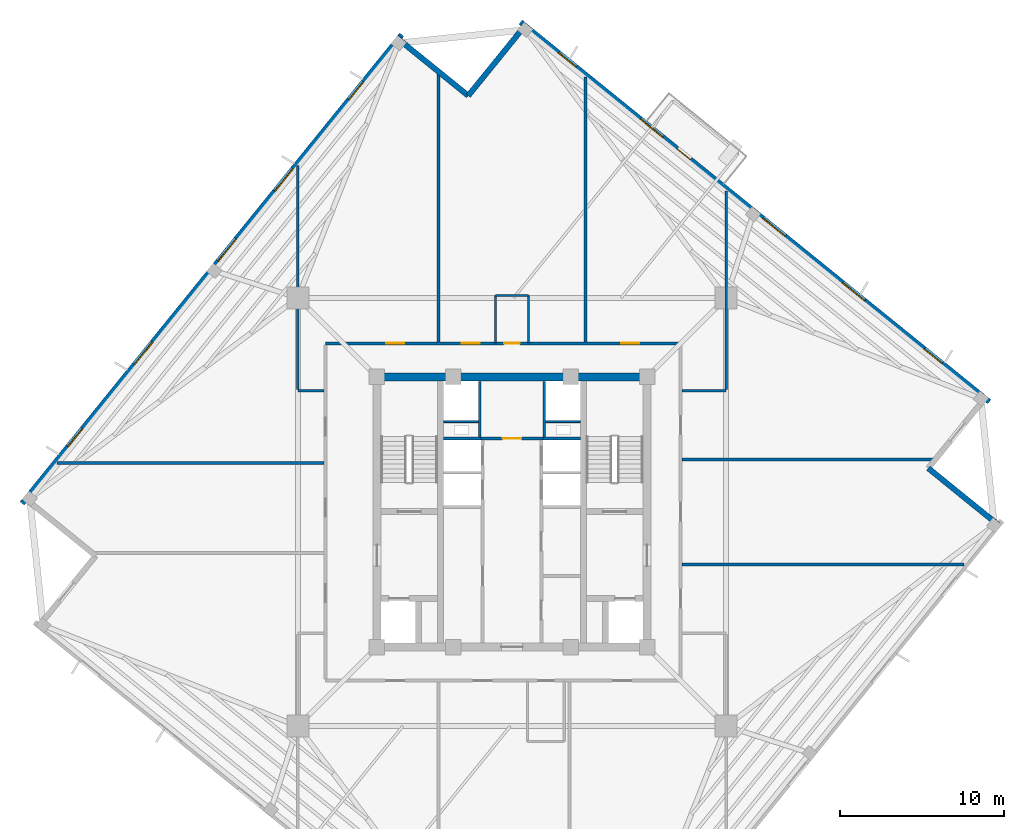
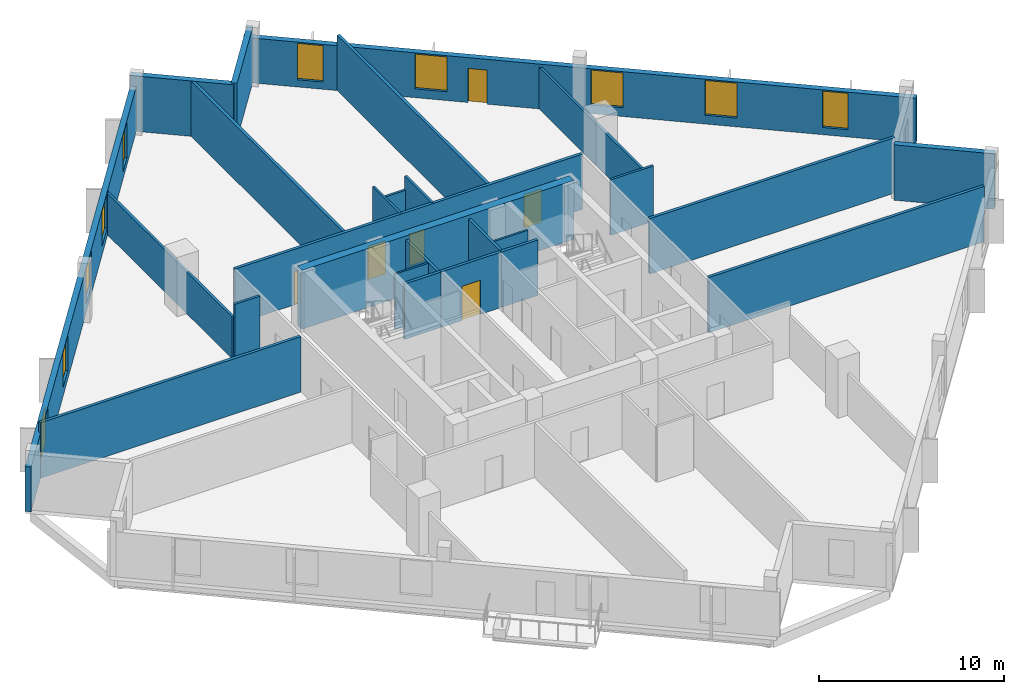
# One storey, part 5 of 10: 26 walls, 10 windows, 6 doors, 16 openings.
"""IFC4 building model written with IfcOpenShell, lengths in metres."""

from ifc_helpers import new_model, si_unit, direction, frame, frame_2d, origin, place, context, subcontext, project, spatial, rectangle, extrude, source, transform, mapped, material, layer, layer_set, type_object, element, fill, save


model = new_model("IFC4")

# Units and contexts
model_context = context("Model", 3, precision=1e-05, world=origin(), true_north=direction((0.0, 1.0)))
body_context = subcontext(model_context, "Body", "Model", "MODEL_VIEW")
ifc_project = project(units=[si_unit("LENGTHUNIT", "METRE"), si_unit("AREAUNIT", "SQUARE_METRE"), si_unit("VOLUMEUNIT", "CUBIC_METRE"), si_unit("PLANEANGLEUNIT", "RADIAN"), si_unit("MASSUNIT", "GRAM", prefix="KILO"), si_unit("THERMODYNAMICTEMPERATUREUNIT", "KELVIN")], contexts=[model_context])

# Site, building, storey
site_placement = place(None, origin())
site = spatial("IfcSite", under=ifc_project, at=site_placement, CompositionType="ELEMENT")
building_placement = place(site_placement, origin())
building = spatial("IfcBuilding", under=site, at=building_placement, Name="Kosmvard Interchange Tower", CompositionType="ELEMENT")
storey_placement = place(building_placement, frame((0.0, 0.0, 240.699951171875)))
storey = spatial("IfcBuildingStorey", under=building, at=storey_placement, Name="L58", CompositionType="ELEMENT", Elevation=240.699951171875)

# Walls
ifc_material_1 = material(Name="Acoustic gypsum partition system")
ifc_layer_1 = layer(ifc_material_1, 0.14990234375, Name="Acoustic gypsum partition system")
ifc_layer_set_1 = layer_set([ifc_layer_1], Name="Acoustic gypsum partition system")
wall_type_1 = type_object("IfcWallType", Name="Acoustic Suite & Meeting Partition 150", PredefinedType="PARTITIONING", material=ifc_layer_set_1)
wall_1_placement = place(storey_placement, frame((-11.4951171875, 7.39990234375, 0.0), z_axis=(0.0, 0.0, 1.0), x_axis=(-1.0, 0.0, 0.0)))
element("IfcWall", 1, at=wall_1_placement, inside=storey, type_object=wall_type_1, Name="L58 Room Partition 09.1", PredefinedType="PARTITIONING", context=body_context, shape_type="SweptSolid", body=[
    extrude(rectangle(XDim=1.5859375, YDim=0.14990234375, at=frame_2d((0.79296875, 0.0))), origin(), (0.0, 0.0, 1.0), 3.66015625),
])
wall_2_placement = place(storey_placement, frame((-13.0810546875, 7.47509765625, 0.0), z_axis=(0.0, 0.0, 1.0), x_axis=(0.0, 1.0, 0.0)))
element("IfcWall", 2, at=wall_2_placement, inside=storey, type_object=wall_type_1, Name="L58 Room Partition 10.1", PredefinedType="PARTITIONING", context=body_context, shape_type="SweptSolid", body=[
    extrude(rectangle(XDim=13.67333984375, YDim=0.14990234375, at=frame_2d((6.836669921875, 0.0))), origin(), (0.0, 0.0, 1.0), 2.760009765625),
])
wall_3_placement = place(storey_placement, frame((10.39501953125, 7.39990234375, 0.0), z_axis=(0.0, 0.0, 1.0), x_axis=(1.0, 0.0, 0.0)))
element("IfcWall", 3, at=wall_3_placement, inside=storey, type_object=wall_type_1, Name="L58 Room Partition 11.1", PredefinedType="PARTITIONING", context=body_context, shape_type="SweptSolid", body=[
    extrude(rectangle(XDim=2.68603515625, YDim=0.14990234375, at=frame_2d((1.343017578125, 0.0))), origin(), (0.0, 0.0, 1.0), 3.66015625),
])
wall_4_placement = place(storey_placement, frame((13.0810546875, 7.47509765625, 0.0), z_axis=(0.0, 0.0, 1.0), x_axis=(0.0, 1.0, 0.0)))
element("IfcWall", 4, at=wall_4_placement, inside=storey, type_object=wall_type_1, Name="L58 Room Partition 12.1", PredefinedType="PARTITIONING", context=body_context, shape_type="SweptSolid", body=[
    extrude(rectangle(XDim=12.138916015625, YDim=0.14990234375, at=frame_2d((6.0693359375, 0.0))), origin(), (0.0, 0.0, 1.0), 2.760009765625),
])
ifc_material_2 = material(Name="Fire-rated gypsum partition system")
ifc_layer_2 = layer(ifc_material_2, 0.159912109375, Name="Fire-rated gypsum partition system")
ifc_layer_set_2 = layer_set([ifc_layer_2], Name="Fire-rated gypsum partition system")
wall_type_2 = type_object("IfcWallType", Name="Core Compartment & Shuttle Lobby Partition 160", PredefinedType="PARTITIONING", material=ifc_layer_set_2)
for number, where, z_axis, x_axis, name in (
    (5, (-1.9599609375, 4.580078125, 0.0), (0.0, 0.0, 1.0), (0.0, 1.0, 0.0), "L58 North Core West Wall"),
    (6, (1.9599609375, 4.580078125, 0.0), (0.0, 0.0, 1.0), (0.0, 1.0, 0.0), "L58 North Core East Wall"),
):
    element("IfcWall", number, at=place(storey_placement, frame(where, z_axis=z_axis, x_axis=x_axis)), inside=storey, type_object=wall_type_2, Name=name, PredefinedType="PARTITIONING", context=body_context, shape_type="SweptSolid", body=[
        extrude(rectangle(XDim=3.39990234375, YDim=0.159912109375, at=frame_2d((1.699951171875, 0.0))), origin(), (0.0, 0.0, 1.0), 3.66015625),
    ])

# Wall, opening, door
ifc_layer_3 = layer(ifc_material_2, 0.179931640625, Name="Fire-rated gypsum partition system")
ifc_layer_set_3 = layer_set([ifc_layer_3], Name="Fire-rated gypsum partition system")
wall_type_3 = type_object("IfcWallType", Name="Corridor & Hotel Compartment Partition 180", PredefinedType="PARTITIONING", material=ifc_layer_set_3)
wall_5_placement = place(storey_placement, frame((-1.8798828125, 4.489990234375, 0.0), z_axis=(0.0, 0.0, 1.0), x_axis=(1.0, 0.0, 0.0)))
wall_5 = element("IfcWall", 7, at=wall_5_placement, inside=storey, type_object=wall_type_3, Name="L58 Lift Lobby North Partition", PredefinedType="PARTITIONING", context=body_context, shape_type="SweptSolid", body=[
    extrude(rectangle(XDim=3.759765625, YDim=0.179931640625, at=frame_2d((1.8798828125, 0.0))), origin(), (0.0, 0.0, 1.0), 3.66015625),
])
opening_1_placement = place(wall_5_placement, frame((1.304931640625, 0.0, 0.0)))
opening_1 = element("IfcOpeningElement", 8, at=opening_1_placement, cuts=wall_5, Name="Opening L58-KD1", PredefinedType="OPENING", context=body_context, shape_type="SweptSolid", body=[
    extrude(rectangle(XDim=1.14990234375, YDim=2.25, at=frame_2d((0.574951171875, 1.125))), frame((0.0, 0.10009765625, 0.0), z_axis=(0.0, -1.0, 0.0), x_axis=(1.0, 0.0, 0.0)), (0.0, 0.0, 1.0), 0.199951171875),
])
ifc_material_3 = material(Name="Painted fire-rated steel leaf", Category="steel")
door_type_1 = type_object("IfcDoorType", Name="Plant & Riser Fire Door 1150x2250 EI60", OperationType="NOTDEFINED", PredefinedType="DOOR", material=ifc_material_3)
shared_shape_1 = source(origin(), body_context, "Body", "SweptSolid", [
    extrude(rectangle(XDim=1.14990234375, YDim=2.25, at=frame_2d((0.574951171875, 1.125))), frame((0.0, 0.02490234375, 0.0), z_axis=(0.0, -1.0, 0.0), x_axis=(1.0, 0.0, 0.0)), (0.0, 0.0, 1.0), 0.050048828125),
])
door_1_placement = place(opening_1_placement, origin())
door_1 = element("IfcDoor", 9, at=door_1_placement, inside=storey, type_object=door_type_1, Name="L58 Core IT Room Door", OperationType="SINGLE_SWING_LEFT", OverallHeight=2.25, OverallWidth=1.14990234375, PredefinedType="DOOR", context=body_context, shape_type="MappedRepresentation", body=[
    mapped(shared_shape_1, transform((0.0, 0.0, 0.0), scale=1.0)),
])
fill(opening_1, door_1)

# Wall, openings, doors
wall_6_placement = place(storey_placement, frame((-11.39990234375, 10.300048828125, 0.0), z_axis=(0.0, 0.0, 1.0), x_axis=(1.0, 0.0, 0.0)))
wall_6 = element("IfcWall", 10, at=wall_6_placement, inside=storey, type_object=wall_type_3, Name="L58 Corridor Wall CN", PredefinedType="PARTITIONING", context=body_context, shape_type="SweptSolid", body=[
    extrude(rectangle(XDim=21.699951171875, YDim=0.179931640625, at=frame_2d((10.85009765625, 0.0))), origin(), (0.0, 0.0, 1.0), 3.66015625),
])
opening_2_placement = place(wall_6_placement, frame((10.925048828125, 0.0, 0.0)))
opening_2 = element("IfcOpeningElement", 11, at=opening_2_placement, cuts=wall_6, Name="Opening L58-D01", PredefinedType="OPENING", context=body_context, shape_type="SweptSolid", body=[
    extrude(rectangle(XDim=0.949951171875, YDim=2.10009765625, at=frame_2d((0.47509765625, 1.050048828125))), frame((0.0, 0.10009765625, 0.0), z_axis=(0.0, -1.0, 0.0), x_axis=(1.0, 0.0, 0.0)), (0.0, 0.0, 1.0), 0.199951171875),
])
opening_3_placement = place(wall_6_placement, frame((3.724365234375, 0.0, 0.0)))
opening_3 = element("IfcOpeningElement", 12, at=opening_3_placement, cuts=wall_6, Name="Opening L58-D04", PredefinedType="OPENING", context=body_context, shape_type="SweptSolid", body=[
    extrude(rectangle(XDim=1.10009765625, YDim=2.199951171875, at=frame_2d((0.550048828125, 1.10009765625))), frame((0.0, 0.10009765625, 0.0), z_axis=(0.0, -1.0, 0.0), x_axis=(1.0, 0.0, 0.0)), (0.0, 0.0, 1.0), 0.199951171875),
])
opening_4_placement = place(wall_6_placement, frame((8.325927734375, 0.0, 0.0)))
opening_4 = element("IfcOpeningElement", 13, at=opening_4_placement, cuts=wall_6, Name="Opening L58-D05", PredefinedType="OPENING", context=body_context, shape_type="SweptSolid", body=[
    extrude(rectangle(XDim=1.10009765625, YDim=2.199951171875, at=frame_2d((0.550048828125, 1.10009765625))), frame((0.0, 0.10009765625, 0.0), z_axis=(0.0, -1.0, 0.0), x_axis=(1.0, 0.0, 0.0)), (0.0, 0.0, 1.0), 0.199951171875),
])
opening_5_placement = place(wall_6_placement, frame((18.08544921875, 0.0, 0.0)))
opening_5 = element("IfcOpeningElement", 14, at=opening_5_placement, cuts=wall_6, Name="Opening L58-D06", PredefinedType="OPENING", context=body_context, shape_type="SweptSolid", body=[
    extrude(rectangle(XDim=1.10009765625, YDim=2.199951171875, at=frame_2d((0.550048828125, 1.10009765625))), frame((0.0, 0.10009765625, 0.0), z_axis=(0.0, -1.0, 0.0), x_axis=(1.0, 0.0, 0.0)), (0.0, 0.0, 1.0), 0.199951171875),
])
ifc_material_4 = material(Name="Laminated moisture-resistant timber", Category="wood")
door_type_2 = type_object("IfcDoorType", Name="Accessible Washroom Door 950x2100", OperationType="NOTDEFINED", PredefinedType="DOOR", material=ifc_material_4)
shared_shape_2 = source(origin(), body_context, "Body", "SweptSolid", [
    extrude(rectangle(XDim=0.949951171875, YDim=2.10009765625, at=frame_2d((0.47509765625, 1.050048828125))), frame((0.0, 0.02490234375, 0.0), z_axis=(0.0, -1.0, 0.0), x_axis=(1.0, 0.0, 0.0)), (0.0, 0.0, 1.0), 0.050048828125),
])
door_2_placement = place(opening_2_placement, origin())
door_2 = element("IfcDoor", 15, at=door_2_placement, inside=storey, type_object=door_type_2, Name="L58 Accessible Toilet Door", OperationType="SINGLE_SWING_LEFT", OverallHeight=2.10009765625, OverallWidth=0.949951171875, PredefinedType="DOOR", context=body_context, shape_type="MappedRepresentation", body=[
    mapped(shared_shape_2, transform((0.0, 0.0, 0.0), scale=1.0)),
])
fill(opening_2, door_2)
ifc_material_5 = material(Name="Engineered oak fire-rated timber", Category="wood")
door_type_3 = type_object("IfcDoorType", Name="Office Suite Entrance Door 1100x2200 FD30S", OperationType="NOTDEFINED", PredefinedType="DOOR", material=ifc_material_5)
shared_shape_3 = source(origin(), body_context, "Body", "SweptSolid", [
    extrude(rectangle(XDim=1.10009765625, YDim=2.199951171875, at=frame_2d((0.550048828125, 1.10009765625))), frame((0.0, 0.02490234375, 0.0), z_axis=(0.0, -1.0, 0.0), x_axis=(1.0, 0.0, 0.0)), (0.0, 0.0, 1.0), 0.050048828125),
])
door_3_placement = place(opening_3_placement, origin())
door_3 = element("IfcDoor", 16, at=door_3_placement, inside=storey, type_object=door_type_3, Name="L58 North Horizon Boardroom Door", OperationType="SINGLE_SWING_RIGHT", OverallHeight=2.199951171875, OverallWidth=1.10009765625, PredefinedType="DOOR", context=body_context, shape_type="MappedRepresentation", body=[
    mapped(shared_shape_3, transform((0.0, 0.0, 0.0), scale=1.0)),
])
fill(opening_3, door_3)
door_4_placement = place(opening_4_placement, origin())
door_4 = element("IfcDoor", 17, at=door_4_placement, inside=storey, type_object=door_type_3, Name="L58 North-East Corner Office Door", OperationType="SINGLE_SWING_LEFT", OverallHeight=2.199951171875, OverallWidth=1.10009765625, PredefinedType="DOOR", context=body_context, shape_type="MappedRepresentation", body=[
    mapped(shared_shape_3, transform((0.0, 0.0, 0.0), scale=1.0)),
])
fill(opening_4, door_4)
door_5_placement = place(opening_5_placement, origin())
door_5 = element("IfcDoor", 18, at=door_5_placement, inside=storey, type_object=door_type_3, Name="L58 East Executive Office 3 Door", OperationType="SINGLE_SWING_RIGHT", OverallHeight=2.199951171875, OverallWidth=1.10009765625, PredefinedType="DOOR", context=body_context, shape_type="MappedRepresentation", body=[
    mapped(shared_shape_3, transform((0.0, 0.0, 0.0), scale=1.0)),
])
fill(opening_5, door_5)

# Walls
wall_7_placement = place(storey_placement, frame((-4.5, 10.39501953125, 0.0), z_axis=(0.0, 0.0, 1.0), x_axis=(0.0, 1.0, 0.0)))
element("IfcWall", 19, at=wall_7_placement, inside=storey, type_object=wall_type_3, Name="L58 Room Partition 01.1", PredefinedType="PARTITIONING", context=body_context, shape_type="SweptSolid", body=[
    extrude(rectangle(XDim=16.37841796875, YDim=0.179931640625, at=frame_2d((8.189208984375, 0.0))), origin(), (0.0, 0.0, 1.0), 3.66015625),
])
wall_8_placement = place(storey_placement, frame((4.5, 10.39501953125, 0.0), z_axis=(0.0, 0.0, 1.0), x_axis=(0.0, 1.0, 0.0)))
element("IfcWall", 20, at=wall_8_placement, inside=storey, type_object=wall_type_3, Name="L58 Room Partition 02.1", PredefinedType="PARTITIONING", context=body_context, shape_type="SweptSolid", body=[
    extrude(rectangle(XDim=16.167724609375, YDim=0.179931640625, at=frame_2d((8.083984375, 0.0))), origin(), (0.0, 0.0, 1.0), 3.66015625),
])
wall_9_placement = place(storey_placement, frame((10.39501953125, 3.199951171875, 0.0), z_axis=(0.0, 0.0, 1.0), x_axis=(1.0, 0.0, 0.0)))
element("IfcWall", 21, at=wall_9_placement, inside=storey, type_object=wall_type_3, Name="L58 Room Partition 03.1", PredefinedType="PARTITIONING", context=body_context, shape_type="SweptSolid", body=[
    extrude(rectangle(XDim=15.32568359375, YDim=0.179931640625, at=frame_2d((7.662841796875, 0.0))), origin(), (0.0, 0.0, 1.0), 3.66015625),
])
wall_10_placement = place(storey_placement, frame((10.39501953125, -3.199951171875, 0.0), z_axis=(0.0, 0.0, 1.0), x_axis=(1.0, 0.0, 0.0)))
element("IfcWall", 22, at=wall_10_placement, inside=storey, type_object=wall_type_3, Name="L58 Room Partition 04.1", PredefinedType="PARTITIONING", context=body_context, shape_type="SweptSolid", body=[
    extrude(rectangle(XDim=17.220458984375, YDim=0.179931640625, at=frame_2d((8.6103515625, 0.0))), origin(), (0.0, 0.0, 1.0), 3.66015625),
])
wall_11_placement = place(storey_placement, frame((-11.4951171875, 3.0, 0.0), z_axis=(0.0, 0.0, 1.0), x_axis=(-1.0, 0.0, 0.0)))
element("IfcWall", 23, at=wall_11_placement, inside=storey, type_object=wall_type_3, Name="L58 Room Partition 08.1", PredefinedType="PARTITIONING", context=body_context, shape_type="SweptSolid", body=[
    extrude(rectangle(XDim=16.2822265625, YDim=0.179931640625, at=frame_2d((8.14111328125, 0.0))), origin(), (0.0, 0.0, 1.0), 3.66015625),
])
ifc_material_6 = material(Name="Precast concrete C45/55", Category="concrete")
ifc_layer_4 = layer(ifc_material_6, 0.340087890625, Name="Precast concrete C45/55")
ifc_layer_set_4 = layer_set([ifc_layer_4], Name="Precast concrete C45/55")
wall_type_4 = type_object("IfcWallType", Name="Mid Tower Precast Pier Wall 340 C45/55", PredefinedType="STANDARD", material=ifc_layer_set_4)
wall_12_placement = place(storey_placement, frame((29.703125, -0.78857421875, 0.0), z_axis=(0.0, 0.0, 1.0), x_axis=(-0.77714355312, 0.629323365087, 0.0)))
element("IfcWall", 24, at=wall_12_placement, inside=storey, type_object=wall_type_4, Name="L58 Precast Facade Wall N-SE1", PredefinedType="STANDARD", context=body_context, shape_type="SweptSolid", body=[
    extrude(rectangle(XDim=5.499755859375, YDim=0.340087890625, at=frame_2d((2.75, 0.0))), origin(), (0.0, 0.0, 1.0), 3.66015625),
])

# Wall, openings, door, windows
wall_13_placement = place(storey_placement, frame((29.154296875, 6.73291015625, 0.0), z_axis=(0.0, 0.0, 1.0), x_axis=(-0.77714192302, 0.629325378072, 0.0)))
wall_13 = element("IfcWall", 25, at=wall_13_placement, inside=storey, type_object=wall_type_4, Name="L58 Precast Facade Wall F-E", PredefinedType="STANDARD", context=body_context, shape_type="SweptSolid", body=[
    extrude(rectangle(XDim=36.840087890625, YDim=0.340087890625, at=frame_2d((18.419921875, 0.0))), origin(), (0.0, 0.0, 1.0), 2.9599609375),
])
opening_6_placement = place(wall_13_placement, frame((23.4951171875, 0.0, 0.0)))
opening_6 = element("IfcOpeningElement", 26, at=opening_6_placement, cuts=wall_13, Name="Opening L58-BDE", PredefinedType="OPENING", context=body_context, shape_type="SweptSolid", body=[
    extrude(rectangle(XDim=1.050048828125, YDim=2.25, at=frame_2d((0.52490234375, 1.125))), frame((0.0, 0.18017578125, 0.0), z_axis=(0.0, -1.0, 0.0), x_axis=(1.0, 0.0, 0.0)), (0.0, 0.0, 1.0), 0.360107421875),
])
opening_7_placement = place(wall_13_placement, frame((3.720703125, 0.0, 0.47998046875)))
opening_7 = element("IfcOpeningElement", 27, at=opening_7_placement, cuts=wall_13, Name="Opening L58-W06", PredefinedType="OPENING", context=body_context, shape_type="SweptSolid", body=[
    extrude(rectangle(XDim=1.39990234375, YDim=2.39990234375, at=frame_2d((0.699951171875, 1.199951171875))), frame((0.0, 0.18017578125, 0.0), z_axis=(0.0, -1.0, 0.0), x_axis=(1.0, 0.0, 0.0)), (0.0, 0.0, 1.0), 0.360107421875),
])
opening_8_placement = place(wall_13_placement, frame((9.80859375, 0.0, 0.580078125)))
opening_8 = element("IfcOpeningElement", 28, at=opening_8_placement, cuts=wall_13, Name="Opening L58-W07", PredefinedType="OPENING", context=body_context, shape_type="SweptSolid", body=[
    extrude(rectangle(XDim=1.75, YDim=2.300048828125, at=frame_2d((0.875, 1.14990234375))), frame((0.0, 0.18017578125, 0.0), z_axis=(0.0, -1.0, 0.0), x_axis=(1.0, 0.0, 0.0)), (0.0, 0.0, 1.0), 0.360107421875),
])
opening_9_placement = place(wall_13_placement, frame((16.05810546875, 0.0, 0.580078125)))
opening_9 = element("IfcOpeningElement", 29, at=opening_9_placement, cuts=wall_13, Name="Opening L58-W08", PredefinedType="OPENING", context=body_context, shape_type="SweptSolid", body=[
    extrude(rectangle(XDim=1.75, YDim=2.300048828125, at=frame_2d((0.875, 1.14990234375))), frame((0.0, 0.18017578125, 0.0), z_axis=(0.0, -1.0, 0.0), x_axis=(1.0, 0.0, 0.0)), (0.0, 0.0, 1.0), 0.360107421875),
])
opening_10_placement = place(wall_13_placement, frame((25.67626953125, 0.0, 0.580078125)))
opening_10 = element("IfcOpeningElement", 30, at=opening_10_placement, cuts=wall_13, Name="Opening L58-W09", PredefinedType="OPENING", context=body_context, shape_type="SweptSolid", body=[
    extrude(rectangle(XDim=1.75, YDim=2.300048828125, at=frame_2d((0.875, 1.14990234375))), frame((0.0, 0.18017578125, 0.0), z_axis=(0.0, -1.0, 0.0), x_axis=(1.0, 0.0, 0.0)), (0.0, 0.0, 1.0), 0.360107421875),
])
opening_11_placement = place(wall_13_placement, frame((32.482421875, 0.0, 0.47998046875)))
opening_11 = element("IfcOpeningElement", 31, at=opening_11_placement, cuts=wall_13, Name="Opening L58-W10", PredefinedType="OPENING", context=body_context, shape_type="SweptSolid", body=[
    extrude(rectangle(XDim=1.39990234375, YDim=2.39990234375, at=frame_2d((0.699951171875, 1.199951171875))), frame((0.0, 0.18017578125, 0.0), z_axis=(0.0, -1.0, 0.0), x_axis=(1.0, 0.0, 0.0)), (0.0, 0.0, 1.0), 0.360107421875),
])
ifc_material_7 = material(Name="Anodised aluminium and safety glass", Category="aluminium")
door_type_4 = type_object("IfcDoorType", Name="Tree-Balcony Glazed Door 1050x2250", OperationType="NOTDEFINED", PredefinedType="DOOR", material=ifc_material_7)
shared_shape_4 = source(origin(), body_context, "Body", "SweptSolid", [
    extrude(rectangle(XDim=1.050048828125, YDim=2.25, at=frame_2d((0.52490234375, 1.125))), frame((0.0, 0.02490234375, 0.0), z_axis=(0.0, -1.0, 0.0), x_axis=(1.0, 0.0, 0.0)), (0.0, 0.0, 1.0), 0.050048828125),
])
door_6_placement = place(opening_6_placement, origin())
door_6 = element("IfcDoor", 32, at=door_6_placement, inside=storey, type_object=door_type_4, Name="L58 Tree-Balcony Door BAL-L58-E", OperationType="SINGLE_SWING_LEFT", OverallHeight=2.25, OverallWidth=1.050048828125, PredefinedType="DOOR", context=body_context, shape_type="MappedRepresentation", body=[
    mapped(shared_shape_4, transform((0.0, 0.0, 0.0), scale=1.0)),
])
fill(opening_6, door_6)
ifc_material_8 = material(Name="Low-E solar-control double glazing", Category="glass")
window_type_1 = type_object("IfcWindowType", Name="Notched Corner Feature Window 1400x2400", PartitioningType="SINGLE_PANEL", PredefinedType="WINDOW", material=ifc_material_8)
shared_shape_5 = source(origin(), body_context, "Body", "SweptSolid", [
    extrude(rectangle(XDim=1.39990234375, YDim=2.39990234375, at=frame_2d((0.699951171875, 1.199951171875))), frame((0.0, 0.030029296875, 0.0), z_axis=(0.0, -1.0, 0.0), x_axis=(1.0, 0.0, 0.0)), (0.0, 0.0, 1.0), 0.06005859375),
])
window_1_placement = place(opening_7_placement, origin())
window_1 = element("IfcWindow", 33, at=window_1_placement, inside=storey, type_object=window_type_1, Name="L58 Facade Punched Window 06", OverallHeight=2.39990234375, OverallWidth=1.39990234375, PartitioningType="SINGLE_PANEL", PredefinedType="WINDOW", context=body_context, shape_type="MappedRepresentation", body=[
    mapped(shared_shape_5, transform((0.0, 0.0, 0.0), scale=1.0)),
])
fill(opening_7, window_1)
window_2_placement = place(opening_11_placement, origin())
window_2 = element("IfcWindow", 34, at=window_2_placement, inside=storey, type_object=window_type_1, Name="L58 Facade Punched Window 10", OverallHeight=2.39990234375, OverallWidth=1.39990234375, PartitioningType="SINGLE_PANEL", PredefinedType="WINDOW", context=body_context, shape_type="MappedRepresentation", body=[
    mapped(shared_shape_5, transform((0.0, 0.0, 0.0), scale=1.0)),
])
fill(opening_11, window_2)
window_type_2 = type_object("IfcWindowType", Name="Zone 4 Suite Punched Window 1750x2300", PartitioningType="SINGLE_PANEL", PredefinedType="WINDOW", material=ifc_material_8)
shared_shape_6 = source(origin(), body_context, "Body", "SweptSolid", [
    extrude(rectangle(XDim=1.75, YDim=2.300048828125, at=frame_2d((0.875, 1.14990234375))), frame((0.0, 0.030029296875, 0.0), z_axis=(0.0, -1.0, 0.0), x_axis=(1.0, 0.0, 0.0)), (0.0, 0.0, 1.0), 0.06005859375),
])
window_3_placement = place(opening_8_placement, origin())
window_3 = element("IfcWindow", 35, at=window_3_placement, inside=storey, type_object=window_type_2, Name="L58 Facade Punched Window 07", OverallHeight=2.300048828125, OverallWidth=1.75, PartitioningType="SINGLE_PANEL", PredefinedType="WINDOW", context=body_context, shape_type="MappedRepresentation", body=[
    mapped(shared_shape_6, transform((0.0, 0.0, 0.0), scale=1.0)),
])
fill(opening_8, window_3)
window_4_placement = place(opening_9_placement, origin())
window_4 = element("IfcWindow", 36, at=window_4_placement, inside=storey, type_object=window_type_2, Name="L58 Facade Punched Window 08", OverallHeight=2.300048828125, OverallWidth=1.75, PartitioningType="SINGLE_PANEL", PredefinedType="WINDOW", context=body_context, shape_type="MappedRepresentation", body=[
    mapped(shared_shape_6, transform((0.0, 0.0, 0.0), scale=1.0)),
])
fill(opening_9, window_4)
window_5_placement = place(opening_10_placement, origin())
window_5 = element("IfcWindow", 37, at=window_5_placement, inside=storey, type_object=window_type_2, Name="L58 Facade Punched Window 09", OverallHeight=2.300048828125, OverallWidth=1.75, PartitioningType="SINGLE_PANEL", PredefinedType="WINDOW", context=body_context, shape_type="MappedRepresentation", body=[
    mapped(shared_shape_6, transform((0.0, 0.0, 0.0), scale=1.0)),
])
fill(opening_10, window_5)

# Walls
wall_14_placement = place(storey_placement, frame((0.78857421875, 29.703125, 0.0), z_axis=(0.0, 0.0, 1.0), x_axis=(-0.629323365087, -0.77714355312, 0.0)))
element("IfcWall", 38, at=wall_14_placement, inside=storey, type_object=wall_type_4, Name="L58 Precast Facade Wall N-NE1", PredefinedType="STANDARD", context=body_context, shape_type="SweptSolid", body=[
    extrude(rectangle(XDim=5.499755859375, YDim=0.340087890625, at=frame_2d((2.75, 0.0))), origin(), (0.0, 0.0, 1.0), 3.66015625),
])
wall_15_placement = place(storey_placement, frame((-2.672607421875, 25.428955078125, 0.0), z_axis=(0.0, 0.0, 1.0), x_axis=(-0.777162640055, 0.629299794138, 0.0)))
element("IfcWall", 39, at=wall_15_placement, inside=storey, type_object=wall_type_4, Name="L58 Precast Facade Wall N-NE2", PredefinedType="STANDARD", context=body_context, shape_type="SweptSolid", body=[
    extrude(rectangle(XDim=5.669921875, YDim=0.340087890625, at=frame_2d((2.8349609375, 0.0))), origin(), (0.0, 0.0, 1.0), 3.66015625),
])

# Wall, openings, windows
wall_16_placement = place(storey_placement, frame((-6.73291015625, 29.154296875, 0.0), z_axis=(0.0, 0.0, 1.0), x_axis=(-0.629325378072, -0.77714192302, 0.0)))
wall_16 = element("IfcWall", 40, at=wall_16_placement, inside=storey, type_object=wall_type_4, Name="L58 Precast Facade Wall F-N", PredefinedType="STANDARD", context=body_context, shape_type="SweptSolid", body=[
    extrude(rectangle(XDim=36.840087890625, YDim=0.340087890625, at=frame_2d((18.419921875, 0.0))), origin(), (0.0, 0.0, 1.0), 2.9599609375),
])
opening_12_placement = place(wall_16_placement, frame((3.720703125, 0.0, 0.47998046875)))
opening_12 = element("IfcOpeningElement", 41, at=opening_12_placement, cuts=wall_16, Name="Opening L58-W11", PredefinedType="OPENING", context=body_context, shape_type="SweptSolid", body=[
    extrude(rectangle(XDim=1.39990234375, YDim=2.39990234375, at=frame_2d((0.699951171875, 1.199951171875))), frame((0.0, 0.18017578125, 0.0), z_axis=(0.0, -1.0, 0.0), x_axis=(1.0, 0.0, 0.0)), (0.0, 0.0, 1.0), 0.360107421875),
])
opening_13_placement = place(wall_16_placement, frame((10.55859375, 0.0, 0.580078125)))
opening_13 = element("IfcOpeningElement", 42, at=opening_13_placement, cuts=wall_16, Name="Opening L58-W12", PredefinedType="OPENING", context=body_context, shape_type="SweptSolid", body=[
    extrude(rectangle(XDim=1.75, YDim=2.300048828125, at=frame_2d((0.875, 1.14990234375))), frame((0.0, 0.18017578125, 0.0), z_axis=(0.0, -1.0, 0.0), x_axis=(1.0, 0.0, 0.0)), (0.0, 0.0, 1.0), 0.360107421875),
])
opening_14_placement = place(wall_16_placement, frame((16.05810546875, 0.0, 0.580078125)))
opening_14 = element("IfcOpeningElement", 43, at=opening_14_placement, cuts=wall_16, Name="Opening L58-W13", PredefinedType="OPENING", context=body_context, shape_type="SweptSolid", body=[
    extrude(rectangle(XDim=1.75, YDim=2.300048828125, at=frame_2d((0.875, 1.14990234375))), frame((0.0, 0.18017578125, 0.0), z_axis=(0.0, -1.0, 0.0), x_axis=(1.0, 0.0, 0.0)), (0.0, 0.0, 1.0), 0.360107421875),
])
opening_15_placement = place(wall_16_placement, frame((24.17626953125, 0.0, 0.580078125)))
opening_15 = element("IfcOpeningElement", 44, at=opening_15_placement, cuts=wall_16, Name="Opening L58-W14", PredefinedType="OPENING", context=body_context, shape_type="SweptSolid", body=[
    extrude(rectangle(XDim=1.75, YDim=2.300048828125, at=frame_2d((0.875, 1.14990234375))), frame((0.0, 0.18017578125, 0.0), z_axis=(0.0, -1.0, 0.0), x_axis=(1.0, 0.0, 0.0)), (0.0, 0.0, 1.0), 0.360107421875),
])
opening_16_placement = place(wall_16_placement, frame((30.982421875, 0.0, 0.47998046875)))
opening_16 = element("IfcOpeningElement", 45, at=opening_16_placement, cuts=wall_16, Name="Opening L58-W15", PredefinedType="OPENING", context=body_context, shape_type="SweptSolid", body=[
    extrude(rectangle(XDim=1.39990234375, YDim=2.39990234375, at=frame_2d((0.699951171875, 1.199951171875))), frame((0.0, 0.18017578125, 0.0), z_axis=(0.0, -1.0, 0.0), x_axis=(1.0, 0.0, 0.0)), (0.0, 0.0, 1.0), 0.360107421875),
])
window_6_placement = place(opening_12_placement, origin())
window_6 = element("IfcWindow", 46, at=window_6_placement, inside=storey, type_object=window_type_1, Name="L58 Facade Punched Window 11", OverallHeight=2.39990234375, OverallWidth=1.39990234375, PartitioningType="SINGLE_PANEL", PredefinedType="WINDOW", context=body_context, shape_type="MappedRepresentation", body=[
    mapped(shared_shape_5, transform((0.0, 0.0, 0.0), scale=1.0)),
])
fill(opening_12, window_6)
window_7_placement = place(opening_16_placement, origin())
window_7 = element("IfcWindow", 47, at=window_7_placement, inside=storey, type_object=window_type_1, Name="L58 Facade Punched Window 15", OverallHeight=2.39990234375, OverallWidth=1.39990234375, PartitioningType="SINGLE_PANEL", PredefinedType="WINDOW", context=body_context, shape_type="MappedRepresentation", body=[
    mapped(shared_shape_5, transform((0.0, 0.0, 0.0), scale=1.0)),
])
fill(opening_16, window_7)
window_8_placement = place(opening_13_placement, origin())
window_8 = element("IfcWindow", 48, at=window_8_placement, inside=storey, type_object=window_type_2, Name="L58 Facade Punched Window 12", OverallHeight=2.300048828125, OverallWidth=1.75, PartitioningType="SINGLE_PANEL", PredefinedType="WINDOW", context=body_context, shape_type="MappedRepresentation", body=[
    mapped(shared_shape_6, transform((0.0, 0.0, 0.0), scale=1.0)),
])
fill(opening_13, window_8)
window_9_placement = place(opening_14_placement, origin())
window_9 = element("IfcWindow", 49, at=window_9_placement, inside=storey, type_object=window_type_2, Name="L58 Facade Punched Window 13", OverallHeight=2.300048828125, OverallWidth=1.75, PartitioningType="SINGLE_PANEL", PredefinedType="WINDOW", context=body_context, shape_type="MappedRepresentation", body=[
    mapped(shared_shape_6, transform((0.0, 0.0, 0.0), scale=1.0)),
])
fill(opening_14, window_9)
window_10_placement = place(opening_15_placement, origin())
window_10 = element("IfcWindow", 50, at=window_10_placement, inside=storey, type_object=window_type_2, Name="L58 Facade Punched Window 14", OverallHeight=2.300048828125, OverallWidth=1.75, PartitioningType="SINGLE_PANEL", PredefinedType="WINDOW", context=body_context, shape_type="MappedRepresentation", body=[
    mapped(shared_shape_6, transform((0.0, 0.0, 0.0), scale=1.0)),
])
fill(opening_15, window_10)

# Walls
ifc_material_9 = material(Name="Concrete blockwork masonry", Category="masonry")
ifc_layer_5 = layer(ifc_material_9, 0.179931640625, Name="Concrete blockwork masonry")
ifc_layer_set_5 = layer_set([ifc_layer_5], Name="Concrete blockwork masonry")
wall_type_5 = type_object("IfcWallType", Name="Riser & Lift Bank Divider Wall 180", PredefinedType="PARTITIONING", material=ifc_layer_set_5)
for number, where, z_axis, x_axis, name in (
    (51, (-4.169921875, 4.489990234375, 0.0), (0.0, 0.0, 1.0), (1.0, 0.0, 0.0), "L58 West Bank Divider BD3"),
    (52, (1.889892578125, 4.489990234375, 0.0), (0.0, 0.0, 1.0), (1.0, 0.0, 0.0), "L58 East Bank Divider BD3"),
):
    element("IfcWall", number, at=place(storey_placement, frame(where, z_axis=z_axis, x_axis=x_axis)), inside=storey, type_object=wall_type_5, Name=name, PredefinedType="PARTITIONING", context=body_context, shape_type="SweptSolid", body=[
        extrude(rectangle(XDim=2.280029296875, YDim=0.179931640625, at=frame_2d((1.14013671875, 0.0))), origin(), (0.0, 0.0, 1.0), 3.66015625),
    ])
ifc_material_10 = material(Name="Fire-rated gypsum shaftwall system")
ifc_layer_6 = layer(ifc_material_10, 0.1201171875, Name="Fire-rated gypsum shaftwall system")
ifc_layer_set_6 = layer_set([ifc_layer_6], Name="Fire-rated gypsum shaftwall system")
wall_type_6 = type_object("IfcWallType", Name="Shaft & Riser Fire Partition 120 EI60", PredefinedType="PARTITIONING", material=ifc_layer_set_6)
for number, where, z_axis, x_axis, name in (
    (53, (-4.159912109375, 5.52001953125, 0.0), (0.0, 0.0, 1.0), (1.0, 0.0, 0.0), "L58 Riser Shaft Divider W"),
    (54, (2.06005859375, 5.52001953125, 0.0), (0.0, 0.0, 1.0), (1.0, 0.0, 0.0), "L58 Riser Shaft Divider E"),
):
    element("IfcWall", number, at=place(storey_placement, frame(where, z_axis=z_axis, x_axis=x_axis)), inside=storey, type_object=wall_type_6, Name=name, PredefinedType="PARTITIONING", context=body_context, shape_type="SweptSolid", body=[
        extrude(rectangle(XDim=2.099853515625, YDim=0.1201171875, at=frame_2d((1.0498046875, 0.0))), origin(), (0.0, 0.0, 1.0), 3.66015625),
    ])
ifc_material_11 = material(Name="Concrete C60/75", Category="concrete")
ifc_layer_7 = layer(ifc_material_11, 0.5, Name="Concrete C60/75")
ifc_layer_set_7 = layer_set([ifc_layer_7], Name="Concrete C60/75")
wall_type_7 = type_object("IfcWallType", Name="Upper Core Shear Wall 500 C60/75", PredefinedType="SHEAR", material=ifc_layer_set_7)
wall_17_placement = place(storey_placement, frame((-8.5, 8.25, 0.0), z_axis=(0.0, 0.0, 1.0), x_axis=(1.0, 0.0, 0.0)))
element("IfcWall", 55, at=wall_17_placement, inside=storey, type_object=wall_type_7, Name="L58 Core Shear Wall CW-N", PredefinedType="SHEAR", context=body_context, shape_type="SweptSolid", body=[
    extrude(rectangle(XDim=17.0, YDim=0.5, at=frame_2d((8.5, 0.0))), origin(), (0.0, 0.0, 1.0), 3.900146484375),
])
ifc_material_12 = material(Name="Moisture-resistant gypsum partition")
ifc_layer_8 = layer(ifc_material_12, 0.135009765625, Name="Moisture-resistant gypsum partition")
ifc_layer_set_8 = layer_set([ifc_layer_8], Name="Moisture-resistant gypsum partition")
wall_type_8 = type_object("IfcWallType", Name="Wet Room Moisture-Resistant Partition 135", PredefinedType="PARTITIONING", material=ifc_layer_set_8)
wall_18_placement = place(storey_placement, frame((1.0, 10.320068359375, 0.0), z_axis=(0.0, 0.0, 1.0), x_axis=(0.0, 1.0, 0.0)))
element("IfcWall", 56, at=wall_18_placement, inside=storey, type_object=wall_type_8, Name="L58 Washroom Partition AWC1-E", PredefinedType="PARTITIONING", context=body_context, shape_type="SweptSolid", body=[
    extrude(rectangle(XDim=2.89990234375, YDim=0.135009765625, at=frame_2d((1.449951171875, 0.0))), origin(), (0.0, 0.0, 1.0), 3.66015625),
])
wall_19_placement = place(storey_placement, frame((-1.0, 13.219970703125, 0.0), z_axis=(0.0, 0.0, 1.0), x_axis=(1.0, 0.0, 0.0)))
element("IfcWall", 57, at=wall_19_placement, inside=storey, type_object=wall_type_8, Name="L58 Washroom Partition AWC1-N", PredefinedType="PARTITIONING", context=body_context, shape_type="SweptSolid", body=[
    extrude(rectangle(XDim=2.0, YDim=0.135009765625, at=frame_2d((1.0, 0.0))), origin(), (0.0, 0.0, 1.0), 2.760009765625),
])
wall_20_placement = place(storey_placement, frame((-1.0, 10.320068359375, 0.0), z_axis=(0.0, 0.0, 1.0), x_axis=(0.0, 1.0, 0.0)))
element("IfcWall", 58, at=wall_20_placement, inside=storey, type_object=wall_type_8, Name="L58 Washroom Partition AWC1-W", PredefinedType="PARTITIONING", context=body_context, shape_type="SweptSolid", body=[
    extrude(rectangle(XDim=2.89990234375, YDim=0.135009765625, at=frame_2d((1.449951171875, 0.0))), origin(), (0.0, 0.0, 1.0), 3.66015625),
])

save(model, "model.ifc")
